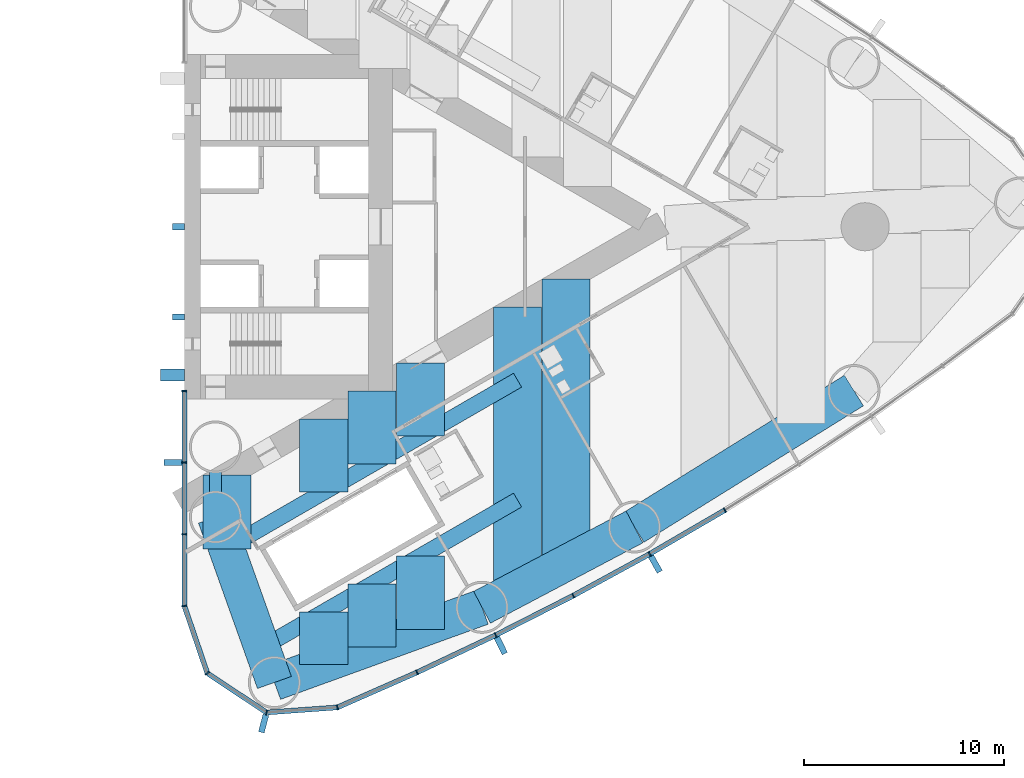
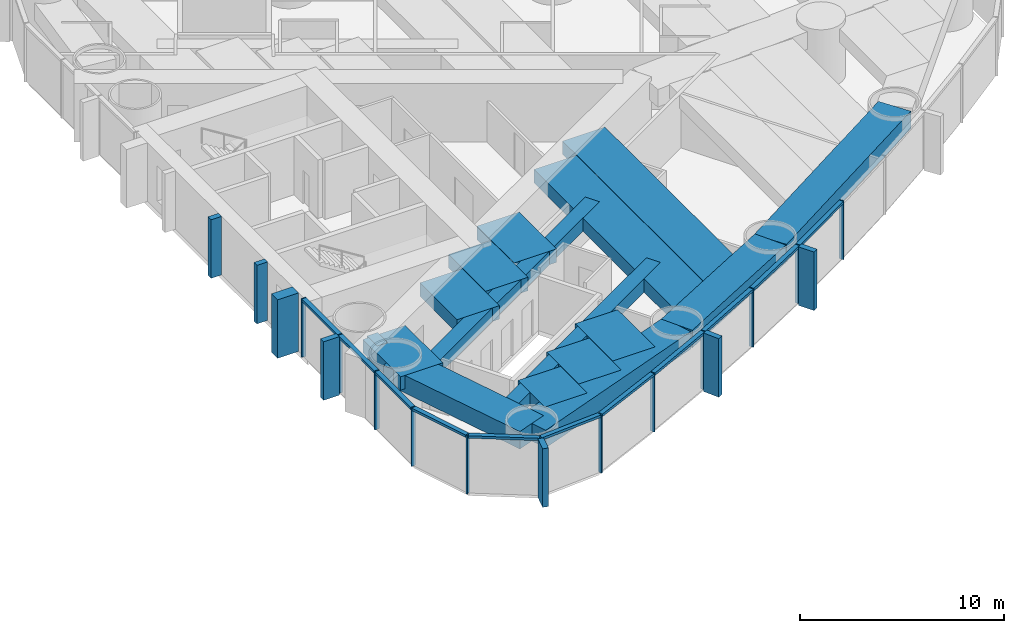
# One storey, part 6 of 19: 30 members, 16 beams, 1 element without a shape of its own.
"""IFC4 building model written with IfcOpenShell, lengths in metres."""

from ifc_helpers import new_model, si_unit, direction, frame, origin, origin_2d, place, context, subcontext, project, spatial, rectangle, hollow_rectangle, extrude, material, material_profile, profile_set, type_object, element, aggregate, save


model = new_model("IFC4")

# Units and contexts
model_context = context("Model", 3, precision=1e-05, world=origin(), true_north=direction((0.0, 1.0)))
body_context = subcontext(model_context, "Body", "Model", "MODEL_VIEW")
ifc_project = project(units=[si_unit("LENGTHUNIT", "METRE"), si_unit("AREAUNIT", "SQUARE_METRE"), si_unit("VOLUMEUNIT", "CUBIC_METRE"), si_unit("PLANEANGLEUNIT", "RADIAN"), si_unit("MASSUNIT", "GRAM", prefix="KILO")], contexts=[model_context])

# Site, building, storey
site_placement = place(None, origin())
site = spatial("IfcSite", under=ifc_project, at=site_placement, CompositionType="ELEMENT")
building_placement = place(site_placement, origin())
building = spatial("IfcBuilding", under=site, at=building_placement, Name="Lancet Gate Hotel", CompositionType="ELEMENT")
storey_placement = place(building_placement, frame((0.0, 0.0, 132.60009765625)))
storey = spatial("IfcBuildingStorey", under=building, at=storey_placement, Name="L35", CompositionType="ELEMENT", Elevation=132.60009765625)

# Curtain wall, members
ifc_material_1 = material(Name="Aluminium curtain wall", Category="aluminium")
curtain_wall_type = type_object("IfcCurtainWallType", Name="Tower unitised curtain wall", PredefinedType="USERDEFINED", material=ifc_material_1)
curtain_wall_placement = place(storey_placement, origin())
curtain_wall = element("IfcCurtainWall", 1, at=curtain_wall_placement, inside=storey, type_object=curtain_wall_type, Name="T2 L35 curtain wall 1", ObjectType="UNITISED CURTAIN WALL", PredefinedType="USERDEFINED")
ifc_material_2 = material(Name="Aluminium mullion", Category="aluminium")
ifc_material_profile_1 = material_profile(ifc_material_2, rectangle(XDim=0.06494140625, YDim=0.25, at=origin_2d()), Name="MULLION 65x250")
ifc_profile_set_1 = profile_set([ifc_material_profile_1], Name="Aluminium mullion")
member_type_1 = type_object("IfcMemberType", Name="Aluminium mullion 65x250", PredefinedType="MULLION", material=ifc_profile_set_1)
member_1_placement = place(storey_placement, frame((27.5, -8.199951171875, 0.0), z_axis=(0.0, 0.0, 1.0), x_axis=(0.0, -1.0, 0.0)))
member_1 = element("IfcMember", 2, at=member_1_placement, type_object=member_type_1, Name="T2 L35 curtain wall 1 mullion 1", PredefinedType="MULLION", context=body_context, shape_type="SweptSolid", body=[
    extrude(rectangle(XDim=0.06494140625, YDim=0.25, at=origin_2d()), origin(), (0.0, 0.0, 1.0), 3.5),
])
member_2_placement = place(storey_placement, frame((27.5, -11.781005859375, 0.0), z_axis=(0.0, 0.0, 1.0), x_axis=(0.0, -1.0, 0.0)))
member_2 = element("IfcMember", 3, at=member_2_placement, type_object=member_type_1, Name="T2 L35 curtain wall 1 mullion 2", PredefinedType="MULLION", context=body_context, shape_type="SweptSolid", body=[
    extrude(rectangle(XDim=0.06494140625, YDim=0.25, at=origin_2d()), origin(), (0.0, 0.0, 1.0), 3.5),
])
member_3_placement = place(storey_placement, frame((27.5, -15.362060546875, 0.0), z_axis=(0.0, 0.0, 1.0), x_axis=(0.0, -1.0, 0.0)))
member_3 = element("IfcMember", 4, at=member_3_placement, type_object=member_type_1, Name="T2 L35 curtain wall 1 mullion 3", PredefinedType="MULLION", context=body_context, shape_type="SweptSolid", body=[
    extrude(rectangle(XDim=0.06494140625, YDim=0.25, at=origin_2d()), origin(), (0.0, 0.0, 1.0), 3.5),
])
member_4_placement = place(storey_placement, frame((27.5, -18.94287109375, 0.0), z_axis=(0.0, 0.0, 1.0), x_axis=(0.162738742557, -0.986669195663, 0.0)))
member_4 = element("IfcMember", 5, at=member_4_placement, type_object=member_type_1, Name="T2 L35 curtain wall 1 mullion 4", PredefinedType="MULLION", context=body_context, shape_type="SweptSolid", body=[
    extrude(rectangle(XDim=0.06494140625, YDim=0.25, at=origin_2d()), origin(), (0.0, 0.0, 1.0), 3.5),
])
member_5_placement = place(storey_placement, frame((28.64453125, -22.301513671875, 0.0), z_axis=(0.0, 0.0, 1.0), x_axis=(0.610663954798, -0.79188984986, 0.0)))
member_5 = element("IfcMember", 6, at=member_5_placement, type_object=member_type_1, Name="T2 L35 curtain wall 1 mullion 5", PredefinedType="MULLION", context=body_context, shape_type="SweptSolid", body=[
    extrude(rectangle(XDim=0.06494140625, YDim=0.25, at=origin_2d()), origin(), (0.0, 0.0, 1.0), 3.5),
])
member_6_placement = place(storey_placement, frame((31.60205078125, -24.26220703125, 0.0), z_axis=(0.0, 0.0, 1.0), x_axis=(0.967157174963, -0.254179068604, 0.0)))
member_6 = element("IfcMember", 7, at=member_6_placement, type_object=member_type_1, Name="T2 L35 curtain wall 1 mullion 6", PredefinedType="MULLION", context=body_context, shape_type="SweptSolid", body=[
    extrude(rectangle(XDim=0.06494140625, YDim=0.25, at=origin_2d()), origin(), (0.0, 0.0, 1.0), 3.5),
])
member_7_placement = place(storey_placement, frame((35.141357421875, -24.009033203125, 0.0), z_axis=(0.0, 0.0, 1.0), x_axis=(0.966317378791, 0.257353304711, 0.0)))
member_7 = element("IfcMember", 8, at=member_7_placement, type_object=member_type_1, Name="T2 L35 curtain wall 1 mullion 7", PredefinedType="MULLION", context=body_context, shape_type="SweptSolid", body=[
    extrude(rectangle(XDim=0.06494140625, YDim=0.25, at=origin_2d()), origin(), (0.0, 0.0, 1.0), 3.5),
])
member_8_placement = place(storey_placement, frame((39.12109375, -22.259765625, 0.0), z_axis=(0.0, 0.0, 1.0), x_axis=(0.909672766767, 0.415325724465, 0.0)))
member_8 = element("IfcMember", 9, at=member_8_placement, type_object=member_type_1, Name="T2 L35 curtain wall 1 mullion 8", PredefinedType="MULLION", context=body_context, shape_type="SweptSolid", body=[
    extrude(rectangle(XDim=0.06494140625, YDim=0.25, at=origin_2d()), origin(), (0.0, 0.0, 1.0), 3.5),
])
member_9_placement = place(storey_placement, frame((43.0498046875, -20.398193359375, 0.0), z_axis=(0.0, 0.0, 1.0), x_axis=(0.897511886496, 0.440990264743, 0.0)))
member_9 = element("IfcMember", 10, at=member_9_placement, type_object=member_type_1, Name="T2 L35 curtain wall 1 mullion 9", PredefinedType="MULLION", context=body_context, shape_type="SweptSolid", body=[
    extrude(rectangle(XDim=0.06494140625, YDim=0.25, at=origin_2d()), origin(), (0.0, 0.0, 1.0), 3.5),
])
member_10_placement = place(storey_placement, frame((46.923828125, -18.426025390625, 0.0), z_axis=(0.0, 0.0, 1.0), x_axis=(0.884627112962, 0.466299121822, 0.0)))
member_10 = element("IfcMember", 11, at=member_10_placement, type_object=member_type_1, Name="T2 L35 curtain wall 1 mullion 10", PredefinedType="MULLION", context=body_context, shape_type="SweptSolid", body=[
    extrude(rectangle(XDim=0.06494140625, YDim=0.25, at=origin_2d()), origin(), (0.0, 0.0, 1.0), 3.5),
])
member_11_placement = place(storey_placement, frame((50.740478515625, -16.344482421875, 0.0), z_axis=(0.0, 0.0, 1.0), x_axis=(0.871028838445, 0.491231882716, 0.0)))
member_11 = element("IfcMember", 12, at=member_11_placement, type_object=member_type_1, Name="T2 L35 curtain wall 1 mullion 11", PredefinedType="MULLION", context=body_context, shape_type="SweptSolid", body=[
    extrude(rectangle(XDim=0.06494140625, YDim=0.25, at=origin_2d()), origin(), (0.0, 0.0, 1.0), 3.5),
])
member_12_placement = place(storey_placement, frame((54.496337890625, -14.1552734375, 0.0), z_axis=(0.0, 0.0, 1.0), x_axis=(0.856728030701, 0.515768437781, 0.0)))
member_12 = element("IfcMember", 13, at=member_12_placement, type_object=member_type_1, Name="T2 L35 curtain wall 1 mullion 12", PredefinedType="MULLION", context=body_context, shape_type="SweptSolid", body=[
    extrude(rectangle(XDim=0.06494140625, YDim=0.25, at=origin_2d()), origin(), (0.0, 0.0, 1.0), 3.5),
])
ifc_material_3 = material(Name="Aluminium transom", Category="aluminium")
ifc_material_profile_2 = material_profile(ifc_material_3, rectangle(XDim=0.25, YDim=0.14990234375, at=origin_2d()), Name="TRANSOM 250x150")
ifc_profile_set_2 = profile_set([ifc_material_profile_2], Name="Aluminium transom")
member_type_2 = type_object("IfcMemberType", Name="Aluminium transom 250x150", PredefinedType="USERDEFINED", material=ifc_profile_set_2)
member_13_placement = place(storey_placement, frame((27.5, -8.232421875, 3.4248046875), z_axis=(0.0, -1.0, 0.0), x_axis=(1.0, 0.0, 0.0)))
member_13 = element("IfcMember", 14, at=member_13_placement, type_object=member_type_2, Name="T2 L35 curtain wall 1 transom 1", ObjectType="TRANSOM", PredefinedType="USERDEFINED", context=body_context, shape_type="SweptSolid", body=[
    extrude(rectangle(XDim=0.25, YDim=0.14990234375, at=origin_2d()), origin(), (0.0, 0.0, 1.0), 3.51611328125),
])
member_14_placement = place(storey_placement, frame((27.5, -11.8134765625, 3.4248046875), z_axis=(0.0, -1.0, 0.0), x_axis=(1.0, 0.0, 0.0)))
member_14 = element("IfcMember", 15, at=member_14_placement, type_object=member_type_2, Name="T2 L35 curtain wall 1 transom 2", ObjectType="TRANSOM", PredefinedType="USERDEFINED", context=body_context, shape_type="SweptSolid", body=[
    extrude(rectangle(XDim=0.25, YDim=0.14990234375, at=origin_2d()), origin(), (0.0, 0.0, 1.0), 3.515869140625),
])
member_15_placement = place(storey_placement, frame((27.5, -15.39453125, 3.4248046875), z_axis=(0.0, -1.0, 0.0), x_axis=(1.0, 0.0, 0.0)))
member_15 = element("IfcMember", 16, at=member_15_placement, type_object=member_type_2, Name="T2 L35 curtain wall 1 transom 3", ObjectType="TRANSOM", PredefinedType="USERDEFINED", context=body_context, shape_type="SweptSolid", body=[
    extrude(rectangle(XDim=0.25, YDim=0.14990234375, at=origin_2d()), origin(), (0.0, 0.0, 1.0), 3.515869140625),
])
member_16_placement = place(storey_placement, frame((27.510498046875, -18.9736328125, 3.4248046875), z_axis=(0.322549769135, -0.946552505903, 0.0), x_axis=(0.946552505903, 0.322549769135, 0.0)))
member_16 = element("IfcMember", 17, at=member_16_placement, type_object=member_type_2, Name="T2 L35 curtain wall 1 transom 4", ObjectType="TRANSOM", PredefinedType="USERDEFINED", context=body_context, shape_type="SweptSolid", body=[
    extrude(rectangle(XDim=0.25, YDim=0.14990234375, at=origin_2d()), origin(), (0.0, 0.0, 1.0), 3.4833984375),
])
member_17_placement = place(storey_placement, frame((28.671630859375, -22.319580078125, 3.4248046875), z_axis=(0.833470854141, -0.552563421968, 0.0), x_axis=(0.552563421968, 0.833470854141, 0.0)))
member_17 = element("IfcMember", 18, at=member_17_placement, type_object=member_type_2, Name="T2 L35 curtain wall 1 transom 5", ObjectType="TRANSOM", PredefinedType="USERDEFINED", context=body_context, shape_type="SweptSolid", body=[
    extrude(rectangle(XDim=0.25, YDim=0.14990234375, at=origin_2d()), origin(), (0.0, 0.0, 1.0), 3.4833984375),
])
member_18_placement = place(storey_placement, frame((31.634521484375, -24.260009765625, 3.4248046875), z_axis=(0.997446232115, 0.071421383636, 0.0), x_axis=(-0.071421383636, 0.997446232115, 0.0)))
member_18 = element("IfcMember", 19, at=member_18_placement, type_object=member_type_2, Name="T2 L35 curtain wall 1 transom 6", ObjectType="TRANSOM", PredefinedType="USERDEFINED", context=body_context, shape_type="SweptSolid", body=[
    extrude(rectangle(XDim=0.25, YDim=0.14990234375, at=origin_2d()), origin(), (0.0, 0.0, 1.0), 3.483154296875),
])
member_19_placement = place(storey_placement, frame((35.171142578125, -23.995849609375, 3.4248046875), z_axis=(0.915484772266, 0.402352621155, 0.0), x_axis=(-0.402352621155, 0.915484772266, 0.0)))
member_19 = element("IfcMember", 20, at=member_19_placement, type_object=member_type_2, Name="T2 L35 curtain wall 1 transom 7", ObjectType="TRANSOM", PredefinedType="USERDEFINED", context=body_context, shape_type="SweptSolid", body=[
    extrude(rectangle(XDim=0.25, YDim=0.14990234375, at=origin_2d()), origin(), (0.0, 0.0, 1.0), 4.281982421875),
])
member_20_placement = place(storey_placement, frame((39.150634765625, -22.245849609375, 3.4248046875), z_axis=(0.903679787814, 0.428208875546, 0.0), x_axis=(-0.428208875546, 0.903679787814, 0.0)))
member_20 = element("IfcMember", 21, at=member_20_placement, type_object=member_type_2, Name="T2 L35 curtain wall 1 transom 8", ObjectType="TRANSOM", PredefinedType="USERDEFINED", context=body_context, shape_type="SweptSolid", body=[
    extrude(rectangle(XDim=0.25, YDim=0.14990234375, at=origin_2d()), origin(), (0.0, 0.0, 1.0), 4.282470703125),
])
member_21_placement = place(storey_placement, frame((43.07861328125, -20.383544921875, 3.4248046875), z_axis=(0.891165630033, 0.453678101574, 0.0), x_axis=(-0.453678101574, 0.891165630033, 0.0)))
member_21 = element("IfcMember", 22, at=member_21_placement, type_object=member_type_2, Name="T2 L35 curtain wall 1 transom 9", ObjectType="TRANSOM", PredefinedType="USERDEFINED", context=body_context, shape_type="SweptSolid", body=[
    extrude(rectangle(XDim=0.25, YDim=0.14990234375, at=origin_2d()), origin(), (0.0, 0.0, 1.0), 4.282470703125),
])
member_22_placement = place(storey_placement, frame((46.952392578125, -18.410400390625, 3.4248046875), z_axis=(0.877906466435, 0.478832158685, 0.0), x_axis=(-0.478832158685, 0.877906466435, 0.0)))
member_22 = element("IfcMember", 23, at=member_22_placement, type_object=member_type_2, Name="T2 L35 curtain wall 1 transom 10", ObjectType="TRANSOM", PredefinedType="USERDEFINED", context=body_context, shape_type="SweptSolid", body=[
    extrude(rectangle(XDim=0.25, YDim=0.14990234375, at=origin_2d()), origin(), (0.0, 0.0, 1.0), 4.282470703125),
])
member_23_placement = place(storey_placement, frame((50.7685546875, -16.327880859375, 3.4248046875), z_axis=(0.863973212152, 0.503537772847, 0.0), x_axis=(-0.503537772847, 0.863973212152, 0.0)))
member_23 = element("IfcMember", 24, at=member_23_placement, type_object=member_type_2, Name="T2 L35 curtain wall 1 transom 11", ObjectType="TRANSOM", PredefinedType="USERDEFINED", context=body_context, shape_type="SweptSolid", body=[
    extrude(rectangle(XDim=0.25, YDim=0.14990234375, at=origin_2d()), origin(), (0.0, 0.0, 1.0), 4.2822265625),
])

# Beams
ifc_material_4 = material(Name="Concrete C50/60", Category="concrete")
ifc_material_profile_3 = material_profile(ifc_material_4, rectangle(XDim=1.800048828125, YDim=1.050048828125, at=origin_2d()), Name="RC 1800x1050")
ifc_profile_set_3 = profile_set([ifc_material_profile_3], Name="Concrete C50/60")
beam_type_1 = type_object("IfcBeamType", Name="Edge beam RC 1800x1050", PredefinedType="SPANDREL", material=ifc_profile_set_3)
beam_1_placement = place(storey_placement, frame((31.99609375, -22.76318359375, 2.724853515625), z_axis=(0.940225039526, 0.340553777029, 0.0), x_axis=(-0.340553777029, 0.940225039526, 0.0)))
element("IfcBeam", 25, at=beam_1_placement, inside=storey, type_object=beam_type_1, Name="T2 edge beam EB1 L35", PredefinedType="SPANDREL", context=body_context, shape_type="SweptSolid", body=[
    extrude(rectangle(XDim=1.800048828125, YDim=1.050048828125, at=origin_2d()), origin(), (0.0, 0.0, 1.0), 11.029296875),
])
beam_2_placement = place(storey_placement, frame((42.3662109375, -19.007080078125, 2.724853515625), z_axis=(0.884632510133, 0.466288882578, 0.0), x_axis=(-0.466288882578, 0.884632510133, 0.0)))
element("IfcBeam", 26, at=beam_2_placement, inside=storey, type_object=beam_type_1, Name="T2 edge beam EB1 L35", PredefinedType="SPANDREL", context=body_context, shape_type="SweptSolid", body=[
    extrude(rectangle(XDim=1.800048828125, YDim=1.050048828125, at=origin_2d()), origin(), (0.0, 0.0, 1.0), 8.605712890625),
])
beam_3_placement = place(storey_placement, frame((49.97900390625, -14.994384765625, 2.724853515625), z_axis=(0.849312372751, 0.527890607505, 0.0), x_axis=(-0.527890607505, 0.849312372751, 0.0)))
element("IfcBeam", 27, at=beam_3_placement, inside=storey, type_object=beam_type_1, Name="T2 edge beam EB1 L35", PredefinedType="SPANDREL", context=body_context, shape_type="SweptSolid", body=[
    extrude(rectangle(XDim=1.800048828125, YDim=1.050048828125, at=origin_2d()), origin(), (0.0, 0.0, 1.0), 12.906494140625),
])
beam_4_placement = place(storey_placement, frame((31.99609375, -22.76318359375, 2.724853515625), z_axis=(-0.335821559388, 0.941925623523, 0.0), x_axis=(-0.941925623523, -0.335821559388, 0.0)))
element("IfcBeam", 28, at=beam_4_placement, inside=storey, type_object=beam_type_1, Name="T2 edge beam EB1 L35", PredefinedType="SPANDREL", context=body_context, shape_type="SweptSolid", body=[
    extrude(rectangle(XDim=1.800048828125, YDim=1.050048828125, at=origin_2d()), origin(), (0.0, 0.0, 1.0), 8.772705078125),
])

# Member
ifc_material_5 = material(Name="Concrete C60/75", Category="concrete")
ifc_material_profile_4 = material_profile(ifc_material_5, rectangle(XDim=0.60009765625, YDim=1.199951171875, at=origin_2d()), Name="FIN 600x1200")
ifc_profile_set_4 = profile_set([ifc_material_profile_4], Name="Concrete C60/75")
member_type_3 = type_object("IfcMemberType", Name="Exposed concrete buttress pilaster 600x1200", PredefinedType="USERDEFINED", material=ifc_profile_set_4)
member_24_placement = place(storey_placement, frame((26.909912109375, -7.39990234375, 0.0), z_axis=(0.0, 0.0, 1.0), x_axis=(0.0, 1.0, 0.0)))
element("IfcMember", 29, at=member_24_placement, inside=storey, type_object=member_type_3, Name="T2 buttress pilaster S L35", ObjectType="FIN", PredefinedType="USERDEFINED", context=body_context, shape_type="SweptSolid", body=[
    extrude(rectangle(XDim=0.60009765625, YDim=1.199951171875, at=origin_2d()), origin(), (0.0, 0.0, 1.0), 3.5),
])

ifc_material_6 = material(Name="Precast concrete C50/60", Category="concrete")
ifc_material_profile_5 = material_profile(ifc_material_6, rectangle(XDim=0.300048828125, YDim=0.89990234375, at=origin_2d()), Name="FIN 300x900")
ifc_profile_set_5 = profile_set([ifc_material_profile_5], Name="Precast concrete C50/60")
member_type_4 = type_object("IfcMemberType", Name="Exposed concrete fin 300x900", PredefinedType="USERDEFINED", material=ifc_profile_set_5)
member_25_placement = place(storey_placement, frame((26.925048828125, -11.781005859375, 0.0), z_axis=(0.0, 0.0, 1.0), x_axis=(0.0, -1.0, 0.0)))
member_25 = element("IfcMember", 30, at=member_25_placement, type_object=member_type_4, Name="T2 L35 curtain wall 1 fin 2", ObjectType="FIN", PredefinedType="USERDEFINED", context=body_context, shape_type="SweptSolid", body=[
    extrude(rectangle(XDim=0.300048828125, YDim=0.89990234375, at=origin_2d()), origin(), (0.0, 0.0, 1.0), 3.5),
])

member_26_placement = place(storey_placement, frame((31.455810546875, -24.818359375, 0.0), z_axis=(0.0, 0.0, 1.0), x_axis=(0.967157174963, -0.254179068604, 0.0)))
member_26 = element("IfcMember", 31, at=member_26_placement, type_object=member_type_4, Name="T2 L35 curtain wall 1 fin 6", ObjectType="FIN", PredefinedType="USERDEFINED", context=body_context, shape_type="SweptSolid", body=[
    extrude(rectangle(XDim=0.300048828125, YDim=0.89990234375, at=origin_2d()), origin(), (0.0, 0.0, 1.0), 3.5),
])

member_27_placement = place(storey_placement, frame((43.30322265625, -20.914306640625, 0.0), z_axis=(0.0, 0.0, 1.0), x_axis=(0.897511886496, 0.440990264743, 0.0)))
member_27 = element("IfcMember", 32, at=member_27_placement, type_object=member_type_4, Name="T2 L35 curtain wall 1 fin 9", ObjectType="FIN", PredefinedType="USERDEFINED", context=body_context, shape_type="SweptSolid", body=[
    extrude(rectangle(XDim=0.300048828125, YDim=0.89990234375, at=origin_2d()), origin(), (0.0, 0.0, 1.0), 3.5),
])

member_28_placement = place(storey_placement, frame((51.02294921875, -16.84521484375, 0.0), z_axis=(0.0, 0.0, 1.0), x_axis=(0.871028838445, 0.491231882716, 0.0)))
member_28 = element("IfcMember", 33, at=member_28_placement, type_object=member_type_4, Name="T2 L35 curtain wall 1 fin 11", ObjectType="FIN", PredefinedType="USERDEFINED", context=body_context, shape_type="SweptSolid", body=[
    extrude(rectangle(XDim=0.300048828125, YDim=0.89990234375, at=origin_2d()), origin(), (0.0, 0.0, 1.0), 3.5),
])

aggregate(curtain_wall, [member_1, member_2, member_25, member_3, member_4, member_5, member_6, member_26, member_7, member_8, member_9, member_27, member_10, member_11, member_28, member_12, member_13, member_14, member_15, member_16, member_17, member_18, member_19, member_20, member_21, member_22, member_23])

# Members
ifc_material_7 = material(Name="Concrete C60/75", Category="concrete")
ifc_material_profile_6 = material_profile(ifc_material_7, rectangle(XDim=0.300048828125, YDim=0.60009765625, at=origin_2d()), Name="FIN 300x600")
ifc_profile_set_6 = profile_set([ifc_material_profile_6], Name="Concrete C60/75")
member_type_5 = type_object("IfcMemberType", Name="Exposed concrete rib 300x600", PredefinedType="USERDEFINED", material=ifc_profile_set_6)
for number, where, z_axis, x_axis, name in (
    (34, (27.2099609375, -4.5, 0.0), (0.0, 0.0, 1.0), (0.0, 1.0, 0.0), "T2 core rib 1 L35"),
    (35, (27.2099609375, 0.0, 0.0), (0.0, 0.0, 1.0), (0.0, 1.0, 0.0), "T2 core rib 2 L35"),
):
    element("IfcMember", number, at=place(storey_placement, frame(where, z_axis=z_axis, x_axis=x_axis)), inside=storey, type_object=member_type_5, Name=name, ObjectType="FIN", PredefinedType="USERDEFINED", context=body_context, shape_type="SweptSolid", body=[
        extrude(rectangle(XDim=0.300048828125, YDim=0.60009765625, at=origin_2d()), origin(), (0.0, 0.0, 1.0), 3.5),
    ])

# Beams
ifc_material_8 = material(Name="Concrete C50/60", Category="concrete")
ifc_material_profile_7 = material_profile(ifc_material_8, rectangle(XDim=2.39990234375, YDim=0.800048828125, at=origin_2d()), Name="RC 2400x800")
ifc_profile_set_7 = profile_set([ifc_material_profile_7], Name="Concrete C50/60")
beam_type_2 = type_object("IfcBeamType", Name="Floor beam RC 2400x800", PredefinedType="BEAM", material=ifc_profile_set_7)
beam_5_placement = place(storey_placement, frame((29.6201171875, -16.099365234375, 2.849853515625), z_axis=(0.0, 1.0, 0.0), x_axis=(-1.0, 0.0, 0.0)))
element("IfcBeam", 36, at=beam_5_placement, inside=storey, type_object=beam_type_2, Name="T2 floor beam F01S L35", PredefinedType="BEAM", context=body_context, shape_type="SweptSolid", body=[
    extrude(rectangle(XDim=2.39990234375, YDim=0.800048828125, at=origin_2d()), origin(), (0.0, 0.0, 1.0), 3.69677734375),
])
beam_6_placement = place(storey_placement, frame((44.1416015625, -18.0712890625, 2.849853515625), z_axis=(0.0, 1.0, 0.0), x_axis=(-1.0, 0.0, 0.0)))
element("IfcBeam", 37, at=beam_6_placement, inside=storey, type_object=beam_type_2, Name="T2 floor beam F09S L35", PredefinedType="BEAM", context=body_context, shape_type="SweptSolid", body=[
    extrude(rectangle(XDim=2.39990234375, YDim=0.800048828125, at=origin_2d()), origin(), (0.0, 0.0, 1.0), 14.052490234375),
])
beam_7_placement = place(storey_placement, frame((46.561767578125, -16.795654296875, 2.849853515625), z_axis=(0.0, 1.0, 0.0), x_axis=(-1.0, 0.0, 0.0)))
element("IfcBeam", 38, at=beam_7_placement, inside=storey, type_object=beam_type_2, Name="T2 floor beam F11S L35", PredefinedType="BEAM", context=body_context, shape_type="SweptSolid", body=[
    extrude(rectangle(XDim=2.39990234375, YDim=0.800048828125, at=origin_2d()), origin(), (0.0, 0.0, 1.0), 14.17431640625),
])
beam_8_placement = place(storey_placement, frame((34.460693359375, -21.87060546875, 2.849853515625), z_axis=(0.0, 1.0, 0.0), x_axis=(-1.0, 0.0, 0.0)))
element("IfcBeam", 39, at=beam_8_placement, inside=storey, type_object=beam_type_2, Name="T2 floor beam F03SA L35", PredefinedType="BEAM", context=body_context, shape_type="SweptSolid", body=[
    extrude(rectangle(XDim=2.39990234375, YDim=0.800048828125, at=origin_2d()), origin(), (0.0, 0.0, 1.0), 2.62939453125),
])
beam_9_placement = place(storey_placement, frame((34.460693359375, -13.253662109375, 2.849853515625), z_axis=(0.0, 1.0, 0.0), x_axis=(-1.0, 0.0, 0.0)))
element("IfcBeam", 40, at=beam_9_placement, inside=storey, type_object=beam_type_2, Name="T2 floor beam F03SB L35", PredefinedType="BEAM", context=body_context, shape_type="SweptSolid", body=[
    extrude(rectangle(XDim=2.39990234375, YDim=0.800048828125, at=origin_2d()), origin(), (0.0, 0.0, 1.0), 3.645751953125),
])
beam_10_placement = place(storey_placement, frame((36.880859375, -20.993896484375, 2.849853515625), z_axis=(0.0, 1.0, 0.0), x_axis=(-1.0, 0.0, 0.0)))
element("IfcBeam", 41, at=beam_10_placement, inside=storey, type_object=beam_type_2, Name="T2 floor beam F05SA L35", PredefinedType="BEAM", context=body_context, shape_type="SweptSolid", body=[
    extrude(rectangle(XDim=2.39990234375, YDim=0.800048828125, at=origin_2d()), origin(), (0.0, 0.0, 1.0), 3.150146484375),
])
beam_11_placement = place(storey_placement, frame((36.880859375, -11.8564453125, 2.849853515625), z_axis=(0.0, 1.0, 0.0), x_axis=(-1.0, 0.0, 0.0)))
element("IfcBeam", 42, at=beam_11_placement, inside=storey, type_object=beam_type_2, Name="T2 floor beam F05SB L35", PredefinedType="BEAM", context=body_context, shape_type="SweptSolid", body=[
    extrude(rectangle(XDim=2.39990234375, YDim=0.800048828125, at=origin_2d()), origin(), (0.0, 0.0, 1.0), 3.645751953125),
])
beam_12_placement = place(storey_placement, frame((39.301025390625, -20.1171875, 2.849853515625), z_axis=(0.0, 1.0, 0.0), x_axis=(-1.0, 0.0, 0.0)))
element("IfcBeam", 43, at=beam_12_placement, inside=storey, type_object=beam_type_2, Name="T2 floor beam F07SA L35", PredefinedType="BEAM", context=body_context, shape_type="SweptSolid", body=[
    extrude(rectangle(XDim=2.39990234375, YDim=0.800048828125, at=origin_2d()), origin(), (0.0, 0.0, 1.0), 3.670654296875),
])
beam_13_placement = place(storey_placement, frame((39.301025390625, -10.458984375, 2.849853515625), z_axis=(0.0, 1.0, 0.0), x_axis=(-1.0, 0.0, 0.0)))
element("IfcBeam", 44, at=beam_13_placement, inside=storey, type_object=beam_type_2, Name="T2 floor beam F07SB L35", PredefinedType="BEAM", context=body_context, shape_type="SweptSolid", body=[
    extrude(rectangle(XDim=2.39990234375, YDim=0.800048828125, at=origin_2d()), origin(), (0.0, 0.0, 1.0), 3.6455078125),
])
ifc_material_9 = material(Name="Steel S460QL", Category="steel")
ifc_material_profile_8 = material_profile(ifc_material_9, hollow_rectangle(XDim=0.60009765625, YDim=1.5, WallThickness=0.050048828125, at=origin_2d()), Name="BOX 1500x600x50")
ifc_profile_set_8 = profile_set([ifc_material_profile_8], Name="Steel S460QL")
beam_type_3 = type_object("IfcBeamType", Name="Inner-face link beam BOX 1500x600x50", PredefinedType="BEAM", material=ifc_profile_set_8)
beam_14_placement = place(storey_placement, frame((29.050048828125, -13.25, 2.5), z_axis=(0.0, 1.0, 0.0), x_axis=(-1.0, 0.0, 0.0)))
element("IfcBeam", 45, at=beam_14_placement, inside=storey, type_object=beam_type_3, Name="T2 inner-face link beam LK1 L35", PredefinedType="BEAM", context=body_context, shape_type="SweptSolid", body=[
    extrude(hollow_rectangle(XDim=0.60009765625, YDim=1.5, WallThickness=0.050048828125, at=origin_2d()), origin(), (0.0, 0.0, 1.0), 1.0),
])
ifc_material_10 = material(Name="Steel S460QL", Category="steel")
ifc_material_profile_9 = material_profile(ifc_material_10, hollow_rectangle(XDim=0.800048828125, YDim=0.800048828125, WallThickness=0.080078125, at=origin_2d()), Name="BOX 800x800x80")
ifc_profile_set_9 = profile_set([ifc_material_profile_9], Name="Steel S460QL")
beam_type_4 = type_object("IfcBeamType", Name="Trimmer beam BOX 800x800x80", PredefinedType="BEAM", material=ifc_profile_set_9)
beam_15_placement = place(storey_placement, frame((29.6201171875, -16.048095703125, 2.849853515625), z_axis=(0.866036714307, 0.499980409089, 0.0), x_axis=(-0.499980409089, 0.866036714307, 0.0)))
element("IfcBeam", 46, at=beam_15_placement, inside=storey, type_object=beam_type_4, Name="T2 trimmer beam TR01S L35", PredefinedType="BEAM", context=body_context, shape_type="SweptSolid", body=[
    extrude(hollow_rectangle(XDim=0.800048828125, YDim=0.800048828125, WallThickness=0.080078125, at=origin_2d()), origin(), (0.0, 0.0, 1.0), 16.767822265625),
])
beam_16_placement = place(storey_placement, frame((31.375244140625, -21.0224609375, 2.849853515625), z_axis=(0.86603417384, 0.49998480951, 0.0), x_axis=(-0.49998480951, 0.86603417384, 0.0)))
element("IfcBeam", 47, at=beam_16_placement, inside=storey, type_object=beam_type_4, Name="T2 trimmer beam TR02S L35", PredefinedType="BEAM", context=body_context, shape_type="SweptSolid", body=[
    extrude(hollow_rectangle(XDim=0.800048828125, YDim=0.800048828125, WallThickness=0.080078125, at=origin_2d()), origin(), (0.0, 0.0, 1.0), 14.7412109375),
])

save(model, "model.ifc")
